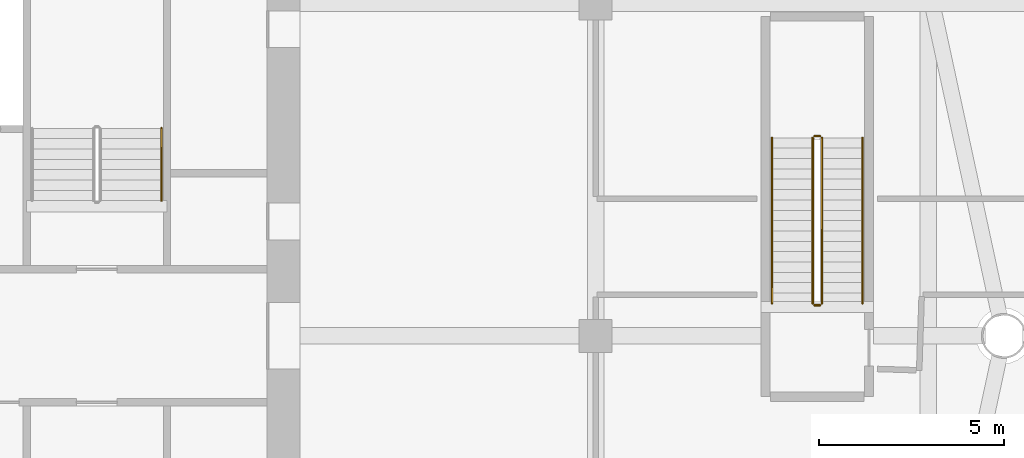
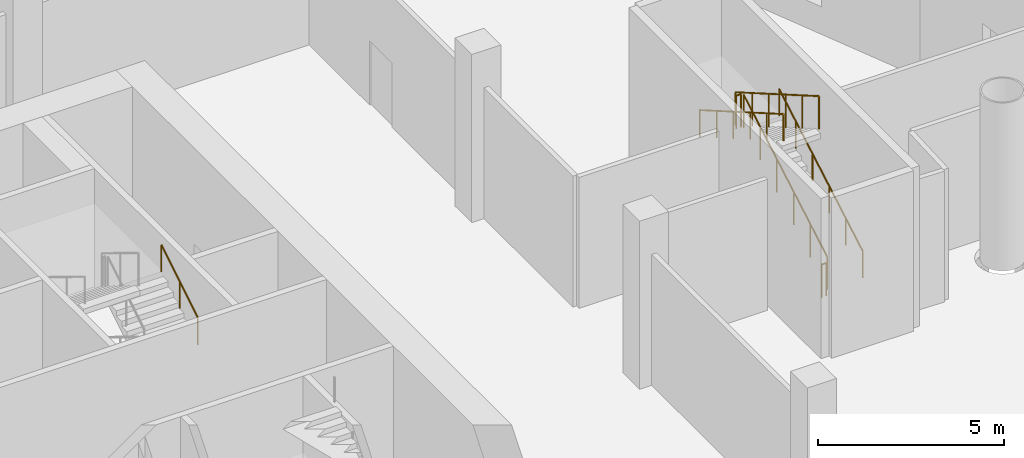
# One storey, part 22 of 23: 7 railings.
"""IFC4 building model written with IfcOpenShell, lengths in metres."""

import ifcopenshell
import ifcopenshell.guid

model = None  # the IFC model being written
_history = None  # IfcOwnerHistory: only IFC2X3 demands one
_inside = {}  # id of a spatial element -> (the spatial element, [elements in it])
_under = {}  # id of a project, library or spatial element -> (it, [spatial elements below it])
_declared = {}  # id of a project -> (the project, [libraries it declares])
_typed = {}  # id of a type object -> (the type object, [elements of that type])
_made_of = {}  # id of a material, layer set ... -> (it, [elements and type objects made of it])


def new_model(schema):
    """Start an empty IFC model of exactly this schema.

    Asked for "IFC4X3", IfcOpenShell would pick the latest addendum, in which some entities
    have other attributes; the version numbers below select the first issue.
    IFC2X3 requires an IfcOwnerHistory on every rooted entity: one is made here for all.
    """
    global model, _history
    if schema == "IFC4X3":
        model = ifcopenshell.file(schema_version=(4, 3, 0, 0))
    else:
        model = ifcopenshell.file(schema=schema)
    _inside.clear()
    _under.clear()
    _declared.clear()
    _typed.clear()
    _made_of.clear()
    _history = None
    if model.schema == "IFC2X3":
        org = make("IfcOrganization", Name="unknown")
        user = make(
            "IfcPersonAndOrganization",
            ThePerson=make("IfcPerson", FamilyName="unknown"),
            TheOrganization=org,
        )
        app = make(
            "IfcApplication",
            ApplicationDeveloper=org,
            Version="unknown",
            ApplicationFullName="unknown",
            ApplicationIdentifier="unknown",
        )
        _history = make(
            "IfcOwnerHistory",
            OwningUser=user,
            OwningApplication=app,
            ChangeAction="ADDED",
            CreationDate=0,
        )
    return model


def make(cls, **values):
    """One entity of the class cls with the attributes given. An attribute that is None is left unset."""
    return model.create_entity(
        cls, **{name: value for name, value in values.items() if value is not None}
    )


def rooted(cls, **values):
    """An entity with a GlobalId (a new one), such as an element, a storey or a relation."""
    return make(cls, GlobalId=ifcopenshell.guid.new(), OwnerHistory=_history, **values)


def si_unit(unit_type, name, prefix=None):
    """IfcSIUnit, for example si_unit("LENGTHUNIT", "METRE", prefix="MILLI")."""
    return make("IfcSIUnit", UnitType=unit_type, Prefix=prefix, Name=name)


def assignment(units):
    """IfcUnitAssignment: the units of a project."""
    return None if units is None else make("IfcUnitAssignment", Units=units)


def point(xyz):
    """IfcCartesianPoint."""
    return None if xyz is None else make("IfcCartesianPoint", Coordinates=xyz)


def direction(xyz):
    """IfcDirection."""
    return None if xyz is None else make("IfcDirection", DirectionRatios=xyz)


def frame(location, z_axis=None, x_axis=None):
    """IfcAxis2Placement3D, a coordinate frame: its origin and axes. An axis left out is left unset."""
    return make(
        "IfcAxis2Placement3D",
        Location=point(location),
        Axis=direction(z_axis),
        RefDirection=direction(x_axis),
    )


def frame_2d(location, x_axis=None):
    """IfcAxis2Placement2D, a coordinate frame in the plane: its origin and x axis."""
    return make(
        "IfcAxis2Placement2D", Location=point(location), RefDirection=direction(x_axis)
    )


def origin():
    """The frame at (0, 0, 0) with its axes left unset."""
    return frame((0.0, 0.0, 0.0))


def origin_2d():
    """The frame at (0, 0) in the plane with its x axis left unset."""
    return frame_2d((0.0, 0.0))


def place(relative_to, where):
    """IfcLocalPlacement: puts the frame where relative to a parent placement (None: the world)."""
    return make(
        "IfcLocalPlacement", PlacementRelTo=relative_to, RelativePlacement=where
    )


def context(
    kind, dimensions, precision=None, world=None, true_north=None, identifier=None
):
    """IfcGeometricRepresentationContext, for example the 3D "Model" context."""
    return make(
        "IfcGeometricRepresentationContext",
        ContextIdentifier=identifier,
        ContextType=kind,
        CoordinateSpaceDimension=dimensions,
        Precision=precision,
        WorldCoordinateSystem=world,
        TrueNorth=true_north,
    )


def subcontext(parent, identifier, kind, view, scale=None):
    """IfcGeometricRepresentationSubContext, for example "Body" below "Model"."""
    return make(
        "IfcGeometricRepresentationSubContext",
        ContextIdentifier=identifier,
        ContextType=kind,
        ParentContext=parent,
        TargetScale=scale,
        TargetView=view,
    )


def project(units=None, contexts=None):
    """IfcProject with its units and contexts."""
    return rooted(
        "IfcProject",
        Name="project",
        RepresentationContexts=contexts,
        UnitsInContext=assignment(units),
    )


def spatial(cls, under=None, at=None, **own):
    """A site, building, storey or space (cls), placed at a placement, below another one or the project."""
    s = rooted(cls, ObjectPlacement=at, **own)
    if under is not None:
        _under.setdefault(under.id(), (under, []))[1].append(s)
    return s


def profile(cls, at=None, kind="AREA", **sizes):
    """A parametric profile (cls). Its sizes go by their IFC names, for example OverallWidth=200.0."""
    return make(cls, ProfileType=kind, Position=at, **sizes)


def circle(**sizes):
    """IfcCircleProfileDef."""
    return profile("IfcCircleProfileDef", **sizes)


def extrude(swept, where, along, depth):
    """IfcExtrudedAreaSolid: the profile swept, set in the frame where, extruded along a direction by depth."""
    return make(
        "IfcExtrudedAreaSolid",
        SweptArea=swept,
        Position=where,
        ExtrudedDirection=direction(along),
        Depth=depth,
    )


def shape(context_of_items, identifier, shape_type, items):
    """IfcShapeRepresentation: the items that make up one representation, for example the "Body"."""
    return make(
        "IfcShapeRepresentation",
        ContextOfItems=context_of_items,
        RepresentationIdentifier=identifier,
        RepresentationType=shape_type,
        Items=items,
    )


def material(Name=None, Category=None):
    """IfcMaterial."""
    return make("IfcMaterial", Name=Name, Category=Category)


def made_of(thing, what):
    """Note that an element or type object is made of a material, layer set ...; save() writes the relation."""
    if what is not None:
        _made_of.setdefault(what.id(), (what, []))[1].append(thing)
    return thing


def type_object(cls, material=None, **own):
    """A type object (cls), such as IfcWallType, which elements share."""
    return made_of(rooted(cls, **own), material)


def element(
    cls,
    number,
    at=None,
    inside=None,
    cuts=None,
    type_object=None,
    material=None,
    context=None,
    identifier="Body",
    shape_type=None,
    held_by="IfcProductDefinitionShape",
    body=None,
    shapes=None,
    **own,
):
    """One element of the class cls, such as IfcWall. Its Tag is "e" and its number.

    at: its placement. inside: the storey or other place that contains it. cuts: it is an
    opening in that element (IfcRelVoidsElement). A single representation is given by context,
    identifier, shape_type and body (its items); several are given by shapes. held_by: the class
    of the entity that holds the representations. save() writes the other relations.
    """
    e = rooted(cls, Tag="e%d" % number, ObjectPlacement=at, **own)
    if body is not None:
        shapes = [shape(context, identifier, shape_type, body)]
    if shapes is not None:
        e.Representation = make(held_by, Representations=shapes)
    if inside is not None:
        _inside.setdefault(inside.id(), (inside, []))[1].append(e)
    if cuts is not None:
        rooted(
            "IfcRelVoidsElement", RelatingBuildingElement=cuts, RelatedOpeningElement=e
        )
    if type_object is not None:
        _typed.setdefault(type_object.id(), (type_object, []))[1].append(e)
    return made_of(e, material)


def aggregate(whole, parts):
    """IfcRelAggregates: a whole, such as a stair, and the parts it consists of."""
    return rooted("IfcRelAggregates", RelatingObject=whole, RelatedObjects=parts)


def save(model, path):
    """Write the relations noted so far, then the file.

    IfcRelAggregates (storeys below a building ...), IfcRelContainedInSpatialStructure (elements
    in a storey), IfcRelDefinesByType, IfcRelAssociatesMaterial and IfcRelDeclares: one each for
    every whole, place, type object, material and project.
    """
    for whole, parts in _under.values():
        aggregate(whole, parts)
    for where, things in _inside.values():
        rooted(
            "IfcRelContainedInSpatialStructure",
            RelatedElements=things,
            RelatingStructure=where,
        )
    for kind, things in _typed.values():
        rooted("IfcRelDefinesByType", RelatedObjects=things, RelatingType=kind)
    for what, things in _made_of.values():
        rooted("IfcRelAssociatesMaterial", RelatedObjects=things, RelatingMaterial=what)
    for by, libraries in _declared.values():
        rooted("IfcRelDeclares", RelatingContext=by, RelatedDefinitions=libraries)
    model.write(path)


model = new_model("IFC4")

# Units and contexts
model_context = context("Model", 3, precision=1e-05, world=origin(), true_north=direction((0.0, 1.0)))
body_context = subcontext(model_context, "Body", "Model", "MODEL_VIEW")
ifc_project = project(units=[si_unit("LENGTHUNIT", "METRE"), si_unit("AREAUNIT", "SQUARE_METRE"), si_unit("VOLUMEUNIT", "CUBIC_METRE"), si_unit("PLANEANGLEUNIT", "RADIAN"), si_unit("MASSUNIT", "GRAM", prefix="KILO")], contexts=[model_context])

# Site, building, storey
site_placement = place(None, origin())
site = spatial("IfcSite", under=ifc_project, at=site_placement, CompositionType="ELEMENT")
building_placement = place(site_placement, origin())
building = spatial("IfcBuilding", under=site, at=building_placement, Name="Tarsis Ring Headquarters", CompositionType="ELEMENT")
storey_placement = place(building_placement, frame((0.0, 0.0, 19.5)))
storey = spatial("IfcBuildingStorey", under=building, at=storey_placement, Name="L03", CompositionType="ELEMENT", Elevation=19.5)

# Railings
ifc_material_1 = material(Name="Steel S355", Category="steel")
railing_type_1 = type_object("IfcRailingType", Name="Core stair handrail 900", PredefinedType="HANDRAIL", material=ifc_material_1)
railing_1_placement = place(storey_placement, frame((6.25, 3.659912109375, 2.921875)))
element("IfcRailing", 1, at=railing_1_placement, inside=storey, type_object=railing_type_1, Name="L03 ST2 stair handrail 3", PredefinedType="HANDRAIL", context=body_context, shape_type="SweptSolid", body=[
    extrude(circle(Radius=0.02392578125, at=origin_2d()), frame((0.0, 0.0, 0.8759765625), z_axis=(0.0, 0.852270028233, 0.523102092307), x_axis=(-1.0, 0.0, 0.0)), (0.0, 0.0, 1.0), 2.300048828125),
    extrude(circle(Radius=0.02099609375, at=origin_2d()), origin(), (0.0, 0.0, 1.0), 0.851806640625),
    extrude(circle(Radius=0.02099609375, at=origin_2d()), frame((0.0, 0.97998046875, 0.6015625)), (0.0, 0.0, 1.0), 0.851806640625),
    extrude(circle(Radius=0.02099609375, at=origin_2d()), frame((0.0, 1.960205078125, 1.203125)), (0.0, 0.0, 1.0), 0.851806640625),
])
ifc_material_2 = material(Name="Stainless steel", Category="steel")
railing_type_2 = type_object("IfcRailingType", Name="PO-RL-G", PredefinedType="GUARDRAIL", material=ifc_material_2)
railing_2_placement = place(storey_placement, frame((24.125, 0.8798828125, 0.161865234375)))
element("IfcRailing", 2, at=railing_2_placement, inside=storey, type_object=railing_type_2, Name="L03 PS1 stair guard 1", PredefinedType="GUARDRAIL", context=body_context, shape_type="SweptSolid", body=[
    extrude(circle(Radius=0.02392578125, at=origin_2d()), frame((0.0, 0.0, 1.076171875), z_axis=(0.0, 0.865901861999, 0.500213919626), x_axis=(-1.0, 0.0, 0.0)), (0.0, 0.0, 1.0), 5.174072265625),
    extrude(circle(Radius=0.02099609375, at=origin_2d()), origin(), (0.0, 0.0, 1.0), 1.052001953125),
    extrude(circle(Radius=0.02099609375, at=origin_2d()), frame((0.0, 0.89599609375, 0.517578125)), (0.0, 0.0, 1.0), 1.052001953125),
    extrude(circle(Radius=0.02099609375, at=origin_2d()), frame((0.0, 1.7919921875, 1.03515625)), (0.0, 0.0, 1.0), 1.052001953125),
    extrude(circle(Radius=0.02099609375, at=origin_2d()), frame((0.0, 2.688232421875, 1.552978515625)), (0.0, 0.0, 1.0), 1.052001953125),
    extrude(circle(Radius=0.02099609375, at=origin_2d()), frame((0.0, 3.584228515625, 2.070556640625)), (0.0, 0.0, 1.0), 1.052001953125),
    extrude(circle(Radius=0.02099609375, at=origin_2d()), frame((0.0, 4.480224609375, 2.588134765625)), (0.0, 0.0, 1.0), 1.052001953125),
])
railing_3_placement = place(storey_placement, frame((24.074951171875, 5.409912109375, 2.75)))
element("IfcRailing", 3, at=railing_3_placement, inside=storey, type_object=railing_type_2, Name="L03 PS1 stair guard 2", PredefinedType="GUARDRAIL", context=body_context, shape_type="SweptSolid", body=[
    extrude(circle(Radius=0.02392578125, at=origin_2d()), frame((0.0, 0.0, 1.076171875), z_axis=(-1.0, 0.0, 0.0), x_axis=(0.0, -1.0, 0.0)), (0.0, 0.0, 1.0), 0.14990234375),
    extrude(circle(Radius=0.02099609375, at=origin_2d()), origin(), (0.0, 0.0, 1.0), 1.052001953125),
    extrude(circle(Radius=0.02099609375, at=origin_2d()), frame((-0.14990234375, 0.0, 0.0)), (0.0, 0.0, 1.0), 1.052001953125),
])
railing_4_placement = place(storey_placement, frame((23.875, 5.360107421875, 2.911865234375)))
element("IfcRailing", 4, at=railing_4_placement, inside=storey, type_object=railing_type_2, Name="L03 PS1 stair guard 3", PredefinedType="GUARDRAIL", context=body_context, shape_type="SweptSolid", body=[
    extrude(circle(Radius=0.02392578125, at=origin_2d()), frame((0.0, 0.0, 1.076171875), z_axis=(0.0, -0.865901861999, 0.500213919626), x_axis=(1.0, 0.0, 0.0)), (0.0, 0.0, 1.0), 5.174072265625),
    extrude(circle(Radius=0.02099609375, at=origin_2d()), origin(), (0.0, 0.0, 1.0), 1.052001953125),
    extrude(circle(Radius=0.02099609375, at=origin_2d()), frame((0.0, -0.89599609375, 0.517578125)), (0.0, 0.0, 1.0), 1.052001953125),
    extrude(circle(Radius=0.02099609375, at=origin_2d()), frame((0.0, -1.7919921875, 1.03515625)), (0.0, 0.0, 1.0), 1.052001953125),
    extrude(circle(Radius=0.02099609375, at=origin_2d()), frame((0.0, -2.688232421875, 1.552978515625)), (0.0, 0.0, 1.0), 1.052001953125),
    extrude(circle(Radius=0.02099609375, at=origin_2d()), frame((0.0, -3.584228515625, 2.070556640625)), (0.0, 0.0, 1.0), 1.052001953125),
    extrude(circle(Radius=0.02099609375, at=origin_2d()), frame((0.0, -4.480224609375, 2.588134765625)), (0.0, 0.0, 1.0), 1.052001953125),
])
railing_5_placement = place(storey_placement, frame((24.074951171875, 0.830078125, 0.0)))
element("IfcRailing", 5, at=railing_5_placement, inside=storey, type_object=railing_type_2, Name="L03 PS1 stair guard 4", PredefinedType="GUARDRAIL", context=body_context, shape_type="SweptSolid", body=[
    extrude(circle(Radius=0.02392578125, at=origin_2d()), frame((0.0, 0.0, 1.076171875), z_axis=(-1.0, 0.0, 0.0), x_axis=(0.0, -1.0, 0.0)), (0.0, 0.0, 1.0), 0.14990234375),
    extrude(circle(Radius=0.02099609375, at=origin_2d()), origin(), (0.0, 0.0, 1.0), 1.052001953125),
    extrude(circle(Radius=0.02099609375, at=origin_2d()), frame((-0.14990234375, 0.0, 0.0)), (0.0, 0.0, 1.0), 1.052001953125),
])
railing_type_3 = type_object("IfcRailingType", Name="PO-RL-H", PredefinedType="HANDRAIL", material=ifc_material_2)
railing_6_placement = place(storey_placement, frame((25.22509765625, 0.8798828125, 0.161865234375)))
element("IfcRailing", 6, at=railing_6_placement, inside=storey, type_object=railing_type_3, Name="L03 PS1 stair handrail 1", PredefinedType="HANDRAIL", context=body_context, shape_type="SweptSolid", body=[
    extrude(circle(Radius=0.02392578125, at=origin_2d()), frame((0.0, 0.0, 0.8759765625), z_axis=(0.0, 0.865901861999, 0.500213919626), x_axis=(-1.0, 0.0, 0.0)), (0.0, 0.0, 1.0), 5.174072265625),
    extrude(circle(Radius=0.02099609375, at=origin_2d()), origin(), (0.0, 0.0, 1.0), 0.851806640625),
    extrude(circle(Radius=0.02099609375, at=origin_2d()), frame((0.0, 0.89599609375, 0.517578125)), (0.0, 0.0, 1.0), 0.851806640625),
    extrude(circle(Radius=0.02099609375, at=origin_2d()), frame((0.0, 1.7919921875, 1.03515625)), (0.0, 0.0, 1.0), 0.851806640625),
    extrude(circle(Radius=0.02099609375, at=origin_2d()), frame((0.0, 2.688232421875, 1.552978515625)), (0.0, 0.0, 1.0), 0.851806640625),
    extrude(circle(Radius=0.02099609375, at=origin_2d()), frame((0.0, 3.584228515625, 2.070556640625)), (0.0, 0.0, 1.0), 0.851806640625),
    extrude(circle(Radius=0.02099609375, at=origin_2d()), frame((0.0, 4.480224609375, 2.588134765625)), (0.0, 0.0, 1.0), 0.851806640625),
])
railing_7_placement = place(storey_placement, frame((22.77490234375, 5.360107421875, 2.911865234375)))
element("IfcRailing", 7, at=railing_7_placement, inside=storey, type_object=railing_type_3, Name="L03 PS1 stair handrail 2", PredefinedType="HANDRAIL", context=body_context, shape_type="SweptSolid", body=[
    extrude(circle(Radius=0.02392578125, at=origin_2d()), frame((0.0, 0.0, 0.8759765625), z_axis=(0.0, -0.865901861999, 0.500213919626), x_axis=(1.0, 0.0, 0.0)), (0.0, 0.0, 1.0), 5.174072265625),
    extrude(circle(Radius=0.02099609375, at=origin_2d()), origin(), (0.0, 0.0, 1.0), 0.851806640625),
    extrude(circle(Radius=0.02099609375, at=origin_2d()), frame((0.0, -0.89599609375, 0.517578125)), (0.0, 0.0, 1.0), 0.851806640625),
    extrude(circle(Radius=0.02099609375, at=origin_2d()), frame((0.0, -1.7919921875, 1.03515625)), (0.0, 0.0, 1.0), 0.851806640625),
    extrude(circle(Radius=0.02099609375, at=origin_2d()), frame((0.0, -2.688232421875, 1.552978515625)), (0.0, 0.0, 1.0), 0.851806640625),
    extrude(circle(Radius=0.02099609375, at=origin_2d()), frame((0.0, -3.584228515625, 2.070556640625)), (0.0, 0.0, 1.0), 0.851806640625),
    extrude(circle(Radius=0.02099609375, at=origin_2d()), frame((0.0, -4.480224609375, 2.588134765625)), (0.0, 0.0, 1.0), 0.851806640625),
])

save(model, "model.ifc")
